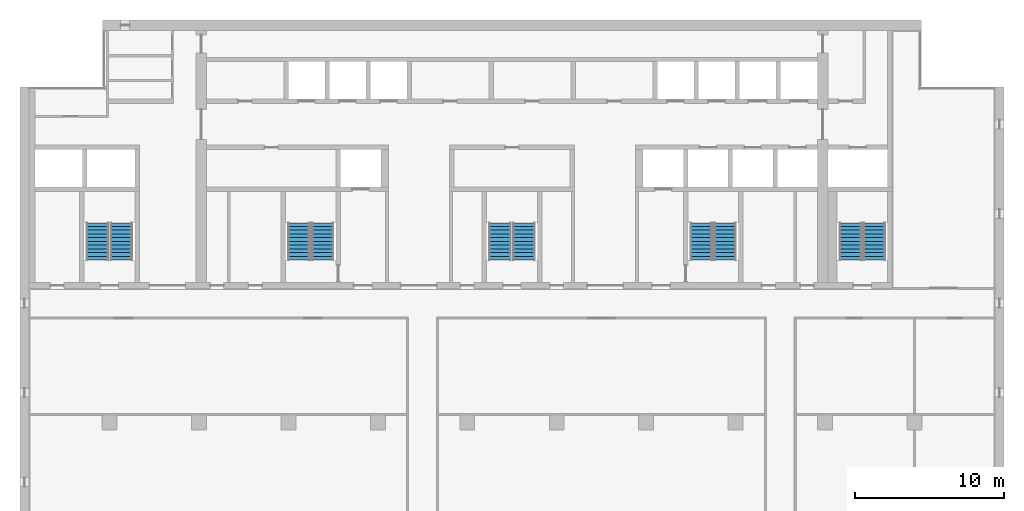
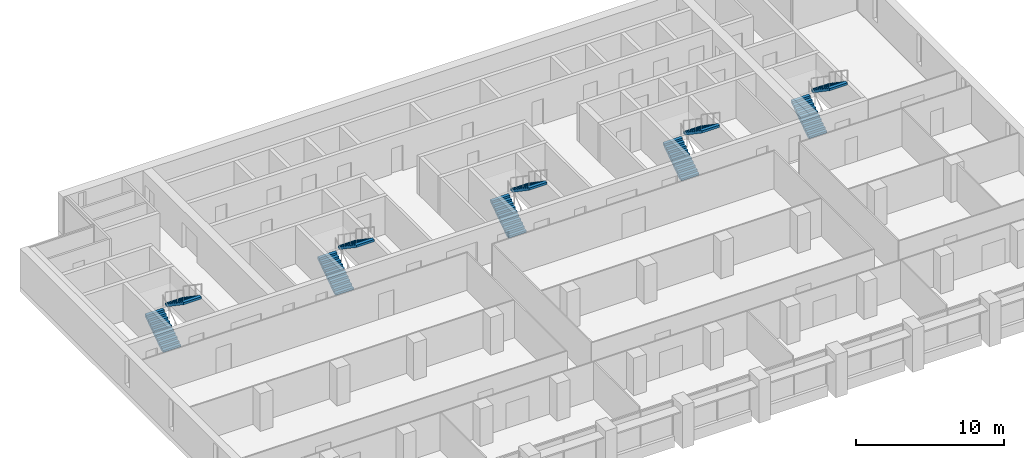
# One storey, part 13 of 16: 10 stair flights, 5 elements without a shape of their own.
"""IFC4 building model written with IfcOpenShell, lengths in metres."""

from ifc_helpers import new_model, si_unit, direction, frame, origin, place, context, subcontext, project, spatial, polyline, outline, extrude, material, type_object, element, aggregate, save


model = new_model("IFC4")

# Units and contexts
model_context = context("Model", 3, precision=1e-05, world=origin(), true_north=direction((0.0, 1.0)))
body_context = subcontext(model_context, "Body", "Model", "MODEL_VIEW")
ifc_project = project(units=[si_unit("LENGTHUNIT", "METRE"), si_unit("AREAUNIT", "SQUARE_METRE"), si_unit("VOLUMEUNIT", "CUBIC_METRE"), si_unit("PLANEANGLEUNIT", "RADIAN"), si_unit("MASSUNIT", "GRAM", prefix="KILO")], contexts=[model_context])

# Site, building, storey
site_placement = place(None, origin())
site = spatial("IfcSite", under=ifc_project, at=site_placement, CompositionType="ELEMENT")
building_placement = place(site_placement, origin())
building = spatial("IfcBuilding", under=site, at=building_placement, Name="Calvaro Tower", CompositionType="ELEMENT")
storey_placement = place(building_placement, frame((0.0, 0.0, 223.0)))
storey = spatial("IfcBuildingStorey", under=building, at=storey_placement, Name="L56", CompositionType="ELEMENT", Elevation=223.0)

# Stair, stair flights
ifc_material_1 = material(Name="Concrete C40/50", Category="concrete")
stair_type = type_object("IfcStairType", Name="Exit stair 1400 2 flights", PredefinedType="HALF_TURN_STAIR", material=ifc_material_1)
stair_1_placement = place(storey_placement, origin())
stair_1 = element("IfcStair", 1, at=stair_1_placement, inside=storey, type_object=stair_type, Name="Exit stair S1", PredefinedType="HALF_TURN_STAIR")
ifc_material_2 = material(Name="Concrete C40/50", Category="concrete")
stair_flight_type = type_object("IfcStairFlightType", Name="Stair flight", PredefinedType="STRAIGHT", material=ifc_material_2)
stair_flight_1_placement = place(storey_placement, frame((11.199951171875, 29.89990234375, 0.0), z_axis=(0.0, 0.0, 1.0), x_axis=(0.0, 1.0, 0.0)))
stair_flight_1 = element("IfcStairFlight", 2, at=stair_flight_1_placement, type_object=stair_flight_type, Name="Exit stair 1, flight 1", NumberOfRisers=11, NumberOfTreads=10, PredefinedType="STRAIGHT", RiserHeight=0.170454545, TreadLength=0.25, context=body_context, shape_type="SweptSolid", body=[
    extrude(outline(polyline([(0.0, 0.0), (0.0, 0.17041015625), (0.25, 0.17041015625), (0.25, 0.3408203125), (0.5, 0.3408203125), (0.5, 0.511474609375), (0.75, 0.511474609375), (0.75, 0.681884765625), (1.0, 0.681884765625), (1.0, 0.852294921875), (1.25, 0.852294921875), (1.25, 1.022705078125), (1.5, 1.022705078125), (1.5, 1.193115234375), (1.75, 1.193115234375), (1.75, 1.363525390625), (2.0, 1.363525390625), (2.0, 1.5341796875), (2.25, 1.5341796875), (2.25, 1.70458984375), (2.5, 1.70458984375), (2.5, 1.875), (2.5, 1.523193359375), (0.26611328125, 0.0), (0.0, 0.0)])), frame((0.0, 0.699951171875, 0.0), z_axis=(0.0, -1.0, 0.0), x_axis=(1.0, 0.0, 0.0)), (0.0, 0.0, 1.0), 1.39990234375),
])
stair_flight_2_placement = place(storey_placement, frame((12.800048828125, 32.39990234375, 1.875), z_axis=(0.0, 0.0, 1.0), x_axis=(0.0, -1.0, 0.0)))
stair_flight_2 = element("IfcStairFlight", 3, at=stair_flight_2_placement, type_object=stair_flight_type, Name="Exit stair 1, flight 2", NumberOfRisers=11, NumberOfTreads=10, PredefinedType="STRAIGHT", RiserHeight=0.170454545, TreadLength=0.25, context=body_context, shape_type="SweptSolid", body=[
    extrude(outline(polyline([(0.0, 0.0), (0.0, 0.17041015625), (0.25, 0.17041015625), (0.25, 0.3408203125), (0.5, 0.3408203125), (0.5, 0.511474609375), (0.75, 0.511474609375), (0.75, 0.681884765625), (1.0, 0.681884765625), (1.0, 0.852294921875), (1.25, 0.852294921875), (1.25, 1.022705078125), (1.5, 1.022705078125), (1.5, 1.193115234375), (1.75, 1.193115234375), (1.75, 1.363525390625), (2.0, 1.363525390625), (2.0, 1.5341796875), (2.25, 1.5341796875), (2.25, 1.70458984375), (2.5, 1.70458984375), (2.5, 1.875), (2.5, 1.523193359375), (0.26611328125, 0.0), (0.0, 0.0)])), frame((0.0, 0.699951171875, 0.0), z_axis=(0.0, -1.0, 0.0), x_axis=(1.0, 0.0, 0.0)), (0.0, 0.0, 1.0), 1.39990234375),
])
aggregate(stair_1, [stair_flight_1, stair_flight_2])

stair_2_placement = place(storey_placement, origin())
stair_2 = element("IfcStair", 4, at=stair_2_placement, inside=storey, type_object=stair_type, Name="Exit stair S2", PredefinedType="HALF_TURN_STAIR")
stair_flight_3_placement = place(storey_placement, frame((24.699951171875, 29.89990234375, 0.0), z_axis=(0.0, 0.0, 1.0), x_axis=(0.0, 1.0, 0.0)))
stair_flight_3 = element("IfcStairFlight", 5, at=stair_flight_3_placement, type_object=stair_flight_type, Name="Exit stair 2, flight 1", NumberOfRisers=11, NumberOfTreads=10, PredefinedType="STRAIGHT", RiserHeight=0.170454545, TreadLength=0.25, context=body_context, shape_type="SweptSolid", body=[
    extrude(outline(polyline([(0.0, 0.0), (0.0, 0.17041015625), (0.25, 0.17041015625), (0.25, 0.3408203125), (0.5, 0.3408203125), (0.5, 0.511474609375), (0.75, 0.511474609375), (0.75, 0.681884765625), (1.0, 0.681884765625), (1.0, 0.852294921875), (1.25, 0.852294921875), (1.25, 1.022705078125), (1.5, 1.022705078125), (1.5, 1.193115234375), (1.75, 1.193115234375), (1.75, 1.363525390625), (2.0, 1.363525390625), (2.0, 1.5341796875), (2.25, 1.5341796875), (2.25, 1.70458984375), (2.5, 1.70458984375), (2.5, 1.875), (2.5, 1.523193359375), (0.26611328125, 0.0), (0.0, 0.0)])), frame((0.0, 0.699951171875, 0.0), z_axis=(0.0, -1.0, 0.0), x_axis=(1.0, 0.0, 0.0)), (0.0, 0.0, 1.0), 1.39990234375),
])
stair_flight_4_placement = place(storey_placement, frame((26.300048828125, 32.39990234375, 1.875), z_axis=(0.0, 0.0, 1.0), x_axis=(0.0, -1.0, 0.0)))
stair_flight_4 = element("IfcStairFlight", 6, at=stair_flight_4_placement, type_object=stair_flight_type, Name="Exit stair 2, flight 2", NumberOfRisers=11, NumberOfTreads=10, PredefinedType="STRAIGHT", RiserHeight=0.170454545, TreadLength=0.25, context=body_context, shape_type="SweptSolid", body=[
    extrude(outline(polyline([(0.0, 0.0), (0.0, 0.17041015625), (0.25, 0.17041015625), (0.25, 0.3408203125), (0.5, 0.3408203125), (0.5, 0.511474609375), (0.75, 0.511474609375), (0.75, 0.681884765625), (1.0, 0.681884765625), (1.0, 0.852294921875), (1.25, 0.852294921875), (1.25, 1.022705078125), (1.5, 1.022705078125), (1.5, 1.193115234375), (1.75, 1.193115234375), (1.75, 1.363525390625), (2.0, 1.363525390625), (2.0, 1.5341796875), (2.25, 1.5341796875), (2.25, 1.70458984375), (2.5, 1.70458984375), (2.5, 1.875), (2.5, 1.523193359375), (0.26611328125, 0.0), (0.0, 0.0)])), frame((0.0, 0.699951171875, 0.0), z_axis=(0.0, -1.0, 0.0), x_axis=(1.0, 0.0, 0.0)), (0.0, 0.0, 1.0), 1.39990234375),
])
aggregate(stair_2, [stair_flight_3, stair_flight_4])

stair_3_placement = place(storey_placement, origin())
stair_3 = element("IfcStair", 7, at=stair_3_placement, inside=storey, type_object=stair_type, Name="Exit stair S3", PredefinedType="HALF_TURN_STAIR")
stair_flight_5_placement = place(storey_placement, frame((38.199951171875, 29.89990234375, 0.0), z_axis=(0.0, 0.0, 1.0), x_axis=(0.0, 1.0, 0.0)))
stair_flight_5 = element("IfcStairFlight", 8, at=stair_flight_5_placement, type_object=stair_flight_type, Name="Exit stair 3, flight 1", NumberOfRisers=11, NumberOfTreads=10, PredefinedType="STRAIGHT", RiserHeight=0.170454545, TreadLength=0.25, context=body_context, shape_type="SweptSolid", body=[
    extrude(outline(polyline([(0.0, 0.0), (0.0, 0.17041015625), (0.25, 0.17041015625), (0.25, 0.3408203125), (0.5, 0.3408203125), (0.5, 0.511474609375), (0.75, 0.511474609375), (0.75, 0.681884765625), (1.0, 0.681884765625), (1.0, 0.852294921875), (1.25, 0.852294921875), (1.25, 1.022705078125), (1.5, 1.022705078125), (1.5, 1.193115234375), (1.75, 1.193115234375), (1.75, 1.363525390625), (2.0, 1.363525390625), (2.0, 1.5341796875), (2.25, 1.5341796875), (2.25, 1.70458984375), (2.5, 1.70458984375), (2.5, 1.875), (2.5, 1.523193359375), (0.26611328125, 0.0), (0.0, 0.0)])), frame((0.0, 0.699951171875, 0.0), z_axis=(0.0, -1.0, 0.0), x_axis=(1.0, 0.0, 0.0)), (0.0, 0.0, 1.0), 1.39990234375),
])
stair_flight_6_placement = place(storey_placement, frame((39.800048828125, 32.39990234375, 1.875), z_axis=(0.0, 0.0, 1.0), x_axis=(0.0, -1.0, 0.0)))
stair_flight_6 = element("IfcStairFlight", 9, at=stair_flight_6_placement, type_object=stair_flight_type, Name="Exit stair 3, flight 2", NumberOfRisers=11, NumberOfTreads=10, PredefinedType="STRAIGHT", RiserHeight=0.170454545, TreadLength=0.25, context=body_context, shape_type="SweptSolid", body=[
    extrude(outline(polyline([(0.0, 0.0), (0.0, 0.17041015625), (0.25, 0.17041015625), (0.25, 0.3408203125), (0.5, 0.3408203125), (0.5, 0.511474609375), (0.75, 0.511474609375), (0.75, 0.681884765625), (1.0, 0.681884765625), (1.0, 0.852294921875), (1.25, 0.852294921875), (1.25, 1.022705078125), (1.5, 1.022705078125), (1.5, 1.193115234375), (1.75, 1.193115234375), (1.75, 1.363525390625), (2.0, 1.363525390625), (2.0, 1.5341796875), (2.25, 1.5341796875), (2.25, 1.70458984375), (2.5, 1.70458984375), (2.5, 1.875), (2.5, 1.523193359375), (0.26611328125, 0.0), (0.0, 0.0)])), frame((0.0, 0.699951171875, 0.0), z_axis=(0.0, -1.0, 0.0), x_axis=(1.0, 0.0, 0.0)), (0.0, 0.0, 1.0), 1.39990234375),
])
aggregate(stair_3, [stair_flight_5, stair_flight_6])

stair_4_placement = place(storey_placement, origin())
stair_4 = element("IfcStair", 10, at=stair_4_placement, inside=storey, type_object=stair_type, Name="Exit stair S4", PredefinedType="HALF_TURN_STAIR")
stair_flight_7_placement = place(storey_placement, frame((51.699951171875, 29.89990234375, 0.0), z_axis=(0.0, 0.0, 1.0), x_axis=(0.0, 1.0, 0.0)))
stair_flight_7 = element("IfcStairFlight", 11, at=stair_flight_7_placement, type_object=stair_flight_type, Name="Exit stair 4, flight 1", NumberOfRisers=11, NumberOfTreads=10, PredefinedType="STRAIGHT", RiserHeight=0.170454545, TreadLength=0.25, context=body_context, shape_type="SweptSolid", body=[
    extrude(outline(polyline([(0.0, 0.0), (0.0, 0.17041015625), (0.25, 0.17041015625), (0.25, 0.3408203125), (0.5, 0.3408203125), (0.5, 0.511474609375), (0.75, 0.511474609375), (0.75, 0.681884765625), (1.0, 0.681884765625), (1.0, 0.852294921875), (1.25, 0.852294921875), (1.25, 1.022705078125), (1.5, 1.022705078125), (1.5, 1.193115234375), (1.75, 1.193115234375), (1.75, 1.363525390625), (2.0, 1.363525390625), (2.0, 1.5341796875), (2.25, 1.5341796875), (2.25, 1.70458984375), (2.5, 1.70458984375), (2.5, 1.875), (2.5, 1.523193359375), (0.26611328125, 0.0), (0.0, 0.0)])), frame((0.0, 0.699951171875, 0.0), z_axis=(0.0, -1.0, 0.0), x_axis=(1.0, 0.0, 0.0)), (0.0, 0.0, 1.0), 1.39990234375),
])
stair_flight_8_placement = place(storey_placement, frame((53.300048828125, 32.39990234375, 1.875), z_axis=(0.0, 0.0, 1.0), x_axis=(0.0, -1.0, 0.0)))
stair_flight_8 = element("IfcStairFlight", 12, at=stair_flight_8_placement, type_object=stair_flight_type, Name="Exit stair 4, flight 2", NumberOfRisers=11, NumberOfTreads=10, PredefinedType="STRAIGHT", RiserHeight=0.170454545, TreadLength=0.25, context=body_context, shape_type="SweptSolid", body=[
    extrude(outline(polyline([(0.0, 0.0), (0.0, 0.17041015625), (0.25, 0.17041015625), (0.25, 0.3408203125), (0.5, 0.3408203125), (0.5, 0.511474609375), (0.75, 0.511474609375), (0.75, 0.681884765625), (1.0, 0.681884765625), (1.0, 0.852294921875), (1.25, 0.852294921875), (1.25, 1.022705078125), (1.5, 1.022705078125), (1.5, 1.193115234375), (1.75, 1.193115234375), (1.75, 1.363525390625), (2.0, 1.363525390625), (2.0, 1.5341796875), (2.25, 1.5341796875), (2.25, 1.70458984375), (2.5, 1.70458984375), (2.5, 1.875), (2.5, 1.523193359375), (0.26611328125, 0.0), (0.0, 0.0)])), frame((0.0, 0.699951171875, 0.0), z_axis=(0.0, -1.0, 0.0), x_axis=(1.0, 0.0, 0.0)), (0.0, 0.0, 1.0), 1.39990234375),
])
aggregate(stair_4, [stair_flight_7, stair_flight_8])

stair_5_placement = place(storey_placement, origin())
stair_5 = element("IfcStair", 13, at=stair_5_placement, inside=storey, type_object=stair_type, Name="Exit stair S5", PredefinedType="HALF_TURN_STAIR")
stair_flight_9_placement = place(storey_placement, frame((61.699951171875, 29.89990234375, 0.0), z_axis=(0.0, 0.0, 1.0), x_axis=(0.0, 1.0, 0.0)))
stair_flight_9 = element("IfcStairFlight", 14, at=stair_flight_9_placement, type_object=stair_flight_type, Name="Exit stair 5, flight 1", NumberOfRisers=11, NumberOfTreads=10, PredefinedType="STRAIGHT", RiserHeight=0.170454545, TreadLength=0.25, context=body_context, shape_type="SweptSolid", body=[
    extrude(outline(polyline([(0.0, 0.0), (0.0, 0.17041015625), (0.25, 0.17041015625), (0.25, 0.3408203125), (0.5, 0.3408203125), (0.5, 0.511474609375), (0.75, 0.511474609375), (0.75, 0.681884765625), (1.0, 0.681884765625), (1.0, 0.852294921875), (1.25, 0.852294921875), (1.25, 1.022705078125), (1.5, 1.022705078125), (1.5, 1.193115234375), (1.75, 1.193115234375), (1.75, 1.363525390625), (2.0, 1.363525390625), (2.0, 1.5341796875), (2.25, 1.5341796875), (2.25, 1.70458984375), (2.5, 1.70458984375), (2.5, 1.875), (2.5, 1.523193359375), (0.26611328125, 0.0), (0.0, 0.0)])), frame((0.0, 0.699951171875, 0.0), z_axis=(0.0, -1.0, 0.0), x_axis=(1.0, 0.0, 0.0)), (0.0, 0.0, 1.0), 1.39990234375),
])
stair_flight_10_placement = place(storey_placement, frame((63.300048828125, 32.39990234375, 1.875), z_axis=(0.0, 0.0, 1.0), x_axis=(0.0, -1.0, 0.0)))
stair_flight_10 = element("IfcStairFlight", 15, at=stair_flight_10_placement, type_object=stair_flight_type, Name="Exit stair 5, flight 2", NumberOfRisers=11, NumberOfTreads=10, PredefinedType="STRAIGHT", RiserHeight=0.170454545, TreadLength=0.25, context=body_context, shape_type="SweptSolid", body=[
    extrude(outline(polyline([(0.0, 0.0), (0.0, 0.17041015625), (0.25, 0.17041015625), (0.25, 0.3408203125), (0.5, 0.3408203125), (0.5, 0.511474609375), (0.75, 0.511474609375), (0.75, 0.681884765625), (1.0, 0.681884765625), (1.0, 0.852294921875), (1.25, 0.852294921875), (1.25, 1.022705078125), (1.5, 1.022705078125), (1.5, 1.193115234375), (1.75, 1.193115234375), (1.75, 1.363525390625), (2.0, 1.363525390625), (2.0, 1.5341796875), (2.25, 1.5341796875), (2.25, 1.70458984375), (2.5, 1.70458984375), (2.5, 1.875), (2.5, 1.523193359375), (0.26611328125, 0.0), (0.0, 0.0)])), frame((0.0, 0.699951171875, 0.0), z_axis=(0.0, -1.0, 0.0), x_axis=(1.0, 0.0, 0.0)), (0.0, 0.0, 1.0), 1.39990234375),
])
aggregate(stair_5, [stair_flight_9, stair_flight_10])

save(model, "model.ifc")
